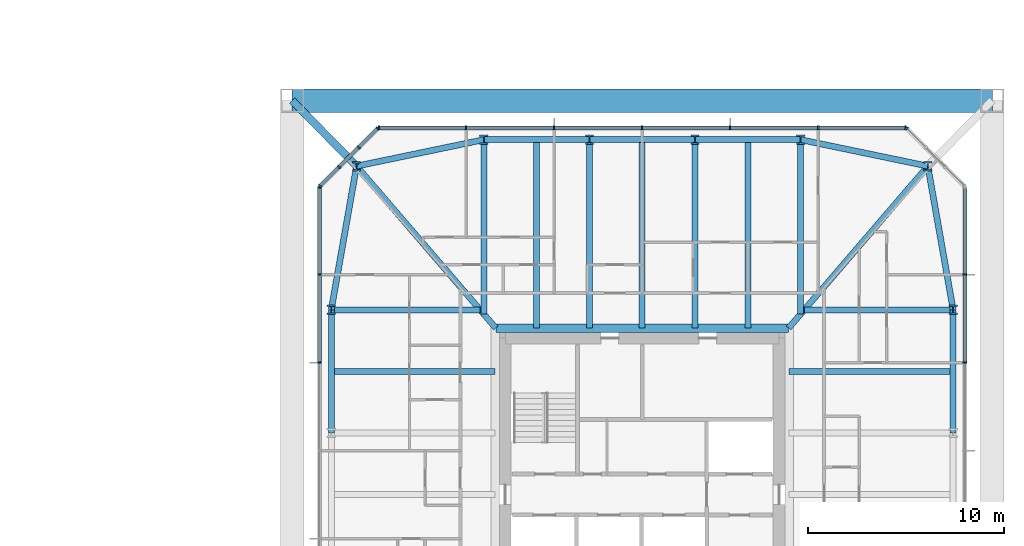
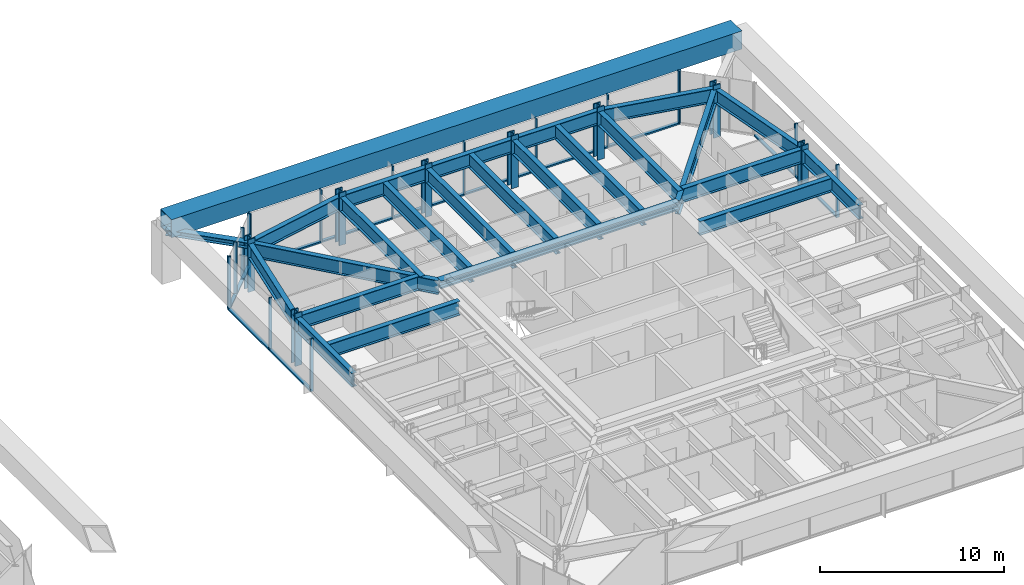
# One storey, part 16 of 32: 40 members, 23 beams, 5 elements without a shape of their own.
"""IFC4 building model written with IfcOpenShell, lengths in metres."""

from ifc_helpers import new_model, si_unit, direction, frame, origin, origin_2d, place, context, subcontext, project, spatial, rectangle, hollow_rectangle, i_section, extrude, material, material_profile, profile_set, type_object, element, aggregate, save


model = new_model("IFC4")

# Units and contexts
model_context = context("Model", 3, precision=1e-05, world=origin(), true_north=direction((0.0, 1.0)))
body_context = subcontext(model_context, "Body", "Model", "MODEL_VIEW")
ifc_project = project(units=[si_unit("LENGTHUNIT", "METRE"), si_unit("AREAUNIT", "SQUARE_METRE"), si_unit("VOLUMEUNIT", "CUBIC_METRE"), si_unit("PLANEANGLEUNIT", "RADIAN"), si_unit("MASSUNIT", "GRAM", prefix="KILO")], contexts=[model_context])

# Site, building, storey
site_placement = place(None, origin())
site = spatial("IfcSite", under=ifc_project, at=site_placement, CompositionType="ELEMENT")
building_placement = place(site_placement, origin())
building = spatial("IfcBuilding", under=site, at=building_placement, Name="Iwan Alto Co-Living Towers", CompositionType="ELEMENT")
storey_placement = place(building_placement, frame((0.0, 0.0, 71.0)))
storey = spatial("IfcBuildingStorey", under=building, at=storey_placement, Name="L19", CompositionType="ELEMENT", Elevation=71.0)

# Curtain wall, members
ifc_material_1 = material(Name="Bronze aluminium unitised frame", Category="aluminium")
curtain_wall_type_1 = type_object("IfcCurtainWallType", Name="CURTAIN WALL CW-C", PredefinedType="NOTDEFINED", material=ifc_material_1)
curtain_wall_1_placement = place(storey_placement, origin())
curtain_wall_1 = element("IfcCurtainWall", 1, at=curtain_wall_1_placement, inside=storey, type_object=curtain_wall_type_1, Name="T2 curtain wall E L19", PredefinedType="NOTDEFINED")
ifc_material_2 = material(Name="Aluminium 6063-T6 bronze anodised", Category="aluminium")
ifc_material_profile_1 = material_profile(ifc_material_2, rectangle(XDim=0.199951171875, YDim=0.080078125, at=origin_2d()), Name="AL 80X200")
ifc_profile_set_1 = profile_set([ifc_material_profile_1], Name="Aluminium 6063-T6 bronze anodised")
member_type_1 = type_object("IfcMemberType", Name="CW-C MULLION 80X200", PredefinedType="MULLION", material=ifc_profile_set_1)
member_1_placement = place(storey_placement, frame((79.5, 6.75, 0.0), z_axis=(0.0, 0.0, 1.0), x_axis=(-1.0, 0.0, 0.0)))
member_1 = element("IfcMember", 2, at=member_1_placement, type_object=member_type_1, Name="CW-C mullion 6", PredefinedType="MULLION", context=body_context, shape_type="SweptSolid", body=[
    extrude(rectangle(XDim=0.199951171875, YDim=0.080078125, at=origin_2d()), origin(), (0.0, 0.0, 1.0), 3.5),
])
member_2_placement = place(storey_placement, frame((79.5, 11.25, 0.0), z_axis=(0.0, 0.0, 1.0), x_axis=(-1.0, 0.0, 0.0)))
member_2 = element("IfcMember", 3, at=member_2_placement, type_object=member_type_1, Name="CW-C mullion 7", PredefinedType="MULLION", context=body_context, shape_type="SweptSolid", body=[
    extrude(rectangle(XDim=0.199951171875, YDim=0.080078125, at=origin_2d()), origin(), (0.0, 0.0, 1.0), 3.5),
])

curtain_wall_2_placement = place(storey_placement, origin())
curtain_wall_2 = element("IfcCurtainWall", 4, at=curtain_wall_2_placement, inside=storey, type_object=curtain_wall_type_1, Name="T2 curtain wall N L19", PredefinedType="NOTDEFINED")
member_3_placement = place(storey_placement, frame((76.4599609375, 18.75, 0.0), z_axis=(0.0, 0.0, 1.0), x_axis=(0.0, -1.0, 0.0)))
member_3 = element("IfcMember", 5, at=member_3_placement, type_object=member_type_1, Name="CW-C mullion 1", PredefinedType="MULLION", context=body_context, shape_type="SweptSolid", body=[
    extrude(rectangle(XDim=0.199951171875, YDim=0.080078125, at=origin_2d()), origin(), (0.0, 0.0, 1.0), 3.5),
])
member_4_placement = place(storey_placement, frame((72.0, 18.75, 0.0), z_axis=(0.0, 0.0, 1.0), x_axis=(0.0, -1.0, 0.0)))
member_4 = element("IfcMember", 6, at=member_4_placement, type_object=member_type_1, Name="CW-C mullion 2", PredefinedType="MULLION", context=body_context, shape_type="SweptSolid", body=[
    extrude(rectangle(XDim=0.199951171875, YDim=0.080078125, at=origin_2d()), origin(), (0.0, 0.0, 1.0), 3.5),
])
member_5_placement = place(storey_placement, frame((67.5, 18.75, 0.0), z_axis=(0.0, 0.0, 1.0), x_axis=(0.0, -1.0, 0.0)))
member_5 = element("IfcMember", 7, at=member_5_placement, type_object=member_type_1, Name="CW-C mullion 3", PredefinedType="MULLION", context=body_context, shape_type="SweptSolid", body=[
    extrude(rectangle(XDim=0.199951171875, YDim=0.080078125, at=origin_2d()), origin(), (0.0, 0.0, 1.0), 3.5),
])
member_6_placement = place(storey_placement, frame((63.0, 18.75, 0.0), z_axis=(0.0, 0.0, 1.0), x_axis=(0.0, -1.0, 0.0)))
member_6 = element("IfcMember", 8, at=member_6_placement, type_object=member_type_1, Name="CW-C mullion 4", PredefinedType="MULLION", context=body_context, shape_type="SweptSolid", body=[
    extrude(rectangle(XDim=0.199951171875, YDim=0.080078125, at=origin_2d()), origin(), (0.0, 0.0, 1.0), 3.5),
])
member_7_placement = place(storey_placement, frame((58.5, 18.75, 0.0), z_axis=(0.0, 0.0, 1.0), x_axis=(0.0, -1.0, 0.0)))
member_7 = element("IfcMember", 9, at=member_7_placement, type_object=member_type_1, Name="CW-C mullion 5", PredefinedType="MULLION", context=body_context, shape_type="SweptSolid", body=[
    extrude(rectangle(XDim=0.199951171875, YDim=0.080078125, at=origin_2d()), origin(), (0.0, 0.0, 1.0), 3.5),
])
member_8_placement = place(storey_placement, frame((54.0, 18.75, 0.0), z_axis=(0.0, 0.0, 1.0), x_axis=(0.0, -1.0, 0.0)))
member_8 = element("IfcMember", 10, at=member_8_placement, type_object=member_type_1, Name="CW-C mullion 6", PredefinedType="MULLION", context=body_context, shape_type="SweptSolid", body=[
    extrude(rectangle(XDim=0.199951171875, YDim=0.080078125, at=origin_2d()), origin(), (0.0, 0.0, 1.0), 3.5),
])
member_9_placement = place(storey_placement, frame((49.5400390625, 18.75, 0.0), z_axis=(0.0, 0.0, 1.0), x_axis=(0.0, -1.0, 0.0)))
member_9 = element("IfcMember", 11, at=member_9_placement, type_object=member_type_1, Name="CW-C mullion 7", PredefinedType="MULLION", context=body_context, shape_type="SweptSolid", body=[
    extrude(rectangle(XDim=0.199951171875, YDim=0.080078125, at=origin_2d()), origin(), (0.0, 0.0, 1.0), 3.5),
])

curtain_wall_3_placement = place(storey_placement, origin())
curtain_wall_3 = element("IfcCurtainWall", 12, at=curtain_wall_3_placement, inside=storey, type_object=curtain_wall_type_1, Name="T2 curtain wall W L19", PredefinedType="NOTDEFINED")
member_10_placement = place(storey_placement, frame((46.5, 15.7099609375, 0.0), z_axis=(0.0, 0.0, 1.0), x_axis=(1.0, 0.0, 0.0)))
member_10 = element("IfcMember", 13, at=member_10_placement, type_object=member_type_1, Name="CW-C mullion 1", PredefinedType="MULLION", context=body_context, shape_type="SweptSolid", body=[
    extrude(rectangle(XDim=0.199951171875, YDim=0.080078125, at=origin_2d()), origin(), (0.0, 0.0, 1.0), 3.5),
])
member_11_placement = place(storey_placement, frame((46.5, 11.25, 0.0), z_axis=(0.0, 0.0, 1.0), x_axis=(1.0, 0.0, 0.0)))
member_11 = element("IfcMember", 14, at=member_11_placement, type_object=member_type_1, Name="CW-C mullion 2", PredefinedType="MULLION", context=body_context, shape_type="SweptSolid", body=[
    extrude(rectangle(XDim=0.199951171875, YDim=0.080078125, at=origin_2d()), origin(), (0.0, 0.0, 1.0), 3.5),
])
member_12_placement = place(storey_placement, frame((46.5, 6.75, 0.0), z_axis=(0.0, 0.0, 1.0), x_axis=(1.0, 0.0, 0.0)))
member_12 = element("IfcMember", 15, at=member_12_placement, type_object=member_type_1, Name="CW-C mullion 3", PredefinedType="MULLION", context=body_context, shape_type="SweptSolid", body=[
    extrude(rectangle(XDim=0.199951171875, YDim=0.080078125, at=origin_2d()), origin(), (0.0, 0.0, 1.0), 3.5),
])

# Member
ifc_material_3 = material(Name="Aluminium 6063-T6 bronze anodised", Category="aluminium")
ifc_material_profile_2 = material_profile(ifc_material_3, rectangle(XDim=0.199951171875, YDim=0.10009765625, at=origin_2d()), Name="AL 200X100")
ifc_profile_set_2 = profile_set([ifc_material_profile_2], Name="Aluminium 6063-T6 bronze anodised")
member_type_2 = type_object("IfcMemberType", Name="CW-C TRANSOM 200X100", PredefinedType="USERDEFINED", material=ifc_profile_set_2)
member_13_placement = place(storey_placement, frame((79.5, 6.7900390625, 0.050048828125), z_axis=(0.0, 1.0, 0.0), x_axis=(-1.0, 0.0, 0.0)))
member_13 = element("IfcMember", 16, at=member_13_placement, type_object=member_type_2, Name="CW-C transom 6.1", ObjectType="TRANSOM", PredefinedType="USERDEFINED", context=body_context, shape_type="SweptSolid", body=[
    extrude(rectangle(XDim=0.199951171875, YDim=0.10009765625, at=origin_2d()), origin(), (0.0, 0.0, 1.0), 4.419921875),
])

member_14_placement = place(storey_placement, frame((79.5, 11.2900390625, 0.050048828125), z_axis=(0.0, 1.0, 0.0), x_axis=(-1.0, 0.0, 0.0)))
member_14 = element("IfcMember", 17, at=member_14_placement, type_object=member_type_2, Name="CW-C transom 7.1", ObjectType="TRANSOM", PredefinedType="USERDEFINED", context=body_context, shape_type="SweptSolid", body=[
    extrude(rectangle(XDim=0.199951171875, YDim=0.10009765625, at=origin_2d()), origin(), (0.0, 0.0, 1.0), 4.3798828125),
])

aggregate(curtain_wall_1, [member_1, member_2, member_13, member_14])

member_15_placement = place(storey_placement, frame((76.419921875, 18.75, 0.050048828125), z_axis=(-1.0, 0.0, 0.0), x_axis=(0.0, -1.0, 0.0)))
member_15 = element("IfcMember", 18, at=member_15_placement, type_object=member_type_2, Name="CW-C transom 1.1", ObjectType="TRANSOM", PredefinedType="USERDEFINED", context=body_context, shape_type="SweptSolid", body=[
    extrude(rectangle(XDim=0.199951171875, YDim=0.10009765625, at=origin_2d()), origin(), (0.0, 0.0, 1.0), 4.3798828125),
])

member_16_placement = place(storey_placement, frame((71.9599609375, 18.75, 0.050048828125), z_axis=(-1.0, 0.0, 0.0), x_axis=(0.0, -1.0, 0.0)))
member_16 = element("IfcMember", 19, at=member_16_placement, type_object=member_type_2, Name="CW-C transom 2.1", ObjectType="TRANSOM", PredefinedType="USERDEFINED", context=body_context, shape_type="SweptSolid", body=[
    extrude(rectangle(XDim=0.199951171875, YDim=0.10009765625, at=origin_2d()), origin(), (0.0, 0.0, 1.0), 4.419921875),
])

member_17_placement = place(storey_placement, frame((67.4599609375, 18.75, 0.050048828125), z_axis=(-1.0, 0.0, 0.0), x_axis=(0.0, -1.0, 0.0)))
member_17 = element("IfcMember", 20, at=member_17_placement, type_object=member_type_2, Name="CW-C transom 3.1", ObjectType="TRANSOM", PredefinedType="USERDEFINED", context=body_context, shape_type="SweptSolid", body=[
    extrude(rectangle(XDim=0.199951171875, YDim=0.10009765625, at=origin_2d()), origin(), (0.0, 0.0, 1.0), 4.419921875),
])

member_18_placement = place(storey_placement, frame((62.9599609375, 18.75, 0.050048828125), z_axis=(-1.0, 0.0, 0.0), x_axis=(0.0, -1.0, 0.0)))
member_18 = element("IfcMember", 21, at=member_18_placement, type_object=member_type_2, Name="CW-C transom 4.1", ObjectType="TRANSOM", PredefinedType="USERDEFINED", context=body_context, shape_type="SweptSolid", body=[
    extrude(rectangle(XDim=0.199951171875, YDim=0.10009765625, at=origin_2d()), origin(), (0.0, 0.0, 1.0), 4.419921875),
])

member_19_placement = place(storey_placement, frame((58.4599609375, 18.75, 0.050048828125), z_axis=(-1.0, 0.0, 0.0), x_axis=(0.0, -1.0, 0.0)))
member_19 = element("IfcMember", 22, at=member_19_placement, type_object=member_type_2, Name="CW-C transom 5.1", ObjectType="TRANSOM", PredefinedType="USERDEFINED", context=body_context, shape_type="SweptSolid", body=[
    extrude(rectangle(XDim=0.199951171875, YDim=0.10009765625, at=origin_2d()), origin(), (0.0, 0.0, 1.0), 4.419921875),
])

member_20_placement = place(storey_placement, frame((53.9599609375, 18.75, 0.050048828125), z_axis=(-1.0, 0.0, 0.0), x_axis=(0.0, -1.0, 0.0)))
member_20 = element("IfcMember", 23, at=member_20_placement, type_object=member_type_2, Name="CW-C transom 6.1", ObjectType="TRANSOM", PredefinedType="USERDEFINED", context=body_context, shape_type="SweptSolid", body=[
    extrude(rectangle(XDim=0.199951171875, YDim=0.10009765625, at=origin_2d()), origin(), (0.0, 0.0, 1.0), 4.3798828125),
])

aggregate(curtain_wall_2, [member_3, member_4, member_5, member_6, member_7, member_8, member_9, member_15, member_16, member_17, member_18, member_19, member_20])

member_21_placement = place(storey_placement, frame((46.5, 15.669921875, 0.050048828125), z_axis=(0.0, -1.0, 0.0), x_axis=(1.0, 0.0, 0.0)))
member_21 = element("IfcMember", 24, at=member_21_placement, type_object=member_type_2, Name="CW-C transom 1.1", ObjectType="TRANSOM", PredefinedType="USERDEFINED", context=body_context, shape_type="SweptSolid", body=[
    extrude(rectangle(XDim=0.199951171875, YDim=0.10009765625, at=origin_2d()), origin(), (0.0, 0.0, 1.0), 4.3798828125),
])

member_22_placement = place(storey_placement, frame((46.5, 11.2099609375, 0.050048828125), z_axis=(0.0, -1.0, 0.0), x_axis=(1.0, 0.0, 0.0)))
member_22 = element("IfcMember", 25, at=member_22_placement, type_object=member_type_2, Name="CW-C transom 2.1", ObjectType="TRANSOM", PredefinedType="USERDEFINED", context=body_context, shape_type="SweptSolid", body=[
    extrude(rectangle(XDim=0.199951171875, YDim=0.10009765625, at=origin_2d()), origin(), (0.0, 0.0, 1.0), 4.419921875),
])

aggregate(curtain_wall_3, [member_10, member_11, member_12, member_21, member_22])

# Curtain wall, member
ifc_material_4 = material(Name="Bronze aluminium unitised frame", Category="aluminium")
curtain_wall_type_2 = type_object("IfcCurtainWallType", Name="CURTAIN WALL CW-D", PredefinedType="NOTDEFINED", material=ifc_material_4)
curtain_wall_4_placement = place(storey_placement, origin())
curtain_wall_4 = element("IfcCurtainWall", 26, at=curtain_wall_4_placement, inside=storey, type_object=curtain_wall_type_2, Name="T2 chamfer curtain wall NE L19", PredefinedType="NOTDEFINED")
ifc_material_5 = material(Name="Aluminium 6063-T6 bronze anodised", Category="aluminium")
ifc_material_profile_3 = material_profile(ifc_material_5, rectangle(XDim=0.199951171875, YDim=0.080078125, at=origin_2d()), Name="AL 80X200")
ifc_profile_set_3 = profile_set([ifc_material_profile_3], Name="Aluminium 6063-T6 bronze anodised")
member_type_3 = type_object("IfcMemberType", Name="CW-D MULLION 80X200", PredefinedType="MULLION", material=ifc_profile_set_3)
member_23_placement = place(storey_placement, frame((76.5283203125, 18.7216796875, 0.0), z_axis=(0.0, 0.0, 1.0), x_axis=(-0.707106781187, -0.707106781187, 0.0)))
member_23 = element("IfcMember", 27, at=member_23_placement, type_object=member_type_3, Name="CW-D mullion 4", PredefinedType="MULLION", context=body_context, shape_type="SweptSolid", body=[
    extrude(rectangle(XDim=0.199951171875, YDim=0.080078125, at=origin_2d()), origin(), (0.0, 0.0, 1.0), 3.5),
])
aggregate(curtain_wall_4, [member_23])

# Curtain wall, members
curtain_wall_5_placement = place(storey_placement, origin())
curtain_wall_5 = element("IfcCurtainWall", 28, at=curtain_wall_5_placement, inside=storey, type_object=curtain_wall_type_2, Name="T2 chamfer curtain wall NW L19", PredefinedType="NOTDEFINED")
member_24_placement = place(storey_placement, frame((49.4716796875, 18.7216796875, 0.0), z_axis=(0.0, 0.0, 1.0), x_axis=(0.707106781187, -0.707106781187, 0.0)))
member_24 = element("IfcMember", 29, at=member_24_placement, type_object=member_type_3, Name="CW-D mullion 1", PredefinedType="MULLION", context=body_context, shape_type="SweptSolid", body=[
    extrude(rectangle(XDim=0.199951171875, YDim=0.080078125, at=origin_2d()), origin(), (0.0, 0.0, 1.0), 3.5),
])
member_25_placement = place(storey_placement, frame((48.5, 17.75, 0.0), z_axis=(0.0, 0.0, 1.0), x_axis=(0.707106781187, -0.707106781187, 0.0)))
member_25 = element("IfcMember", 30, at=member_25_placement, type_object=member_type_3, Name="CW-D mullion 2", PredefinedType="MULLION", context=body_context, shape_type="SweptSolid", body=[
    extrude(rectangle(XDim=0.199951171875, YDim=0.080078125, at=origin_2d()), origin(), (0.0, 0.0, 1.0), 3.5),
])
member_26_placement = place(storey_placement, frame((47.5, 16.75, 0.0), z_axis=(0.0, 0.0, 1.0), x_axis=(0.707106781187, -0.707106781187, 0.0)))
member_26 = element("IfcMember", 31, at=member_26_placement, type_object=member_type_3, Name="CW-D mullion 3", PredefinedType="MULLION", context=body_context, shape_type="SweptSolid", body=[
    extrude(rectangle(XDim=0.199951171875, YDim=0.080078125, at=origin_2d()), origin(), (0.0, 0.0, 1.0), 3.5),
])
member_27_placement = place(storey_placement, frame((46.5283203125, 15.7783203125, 0.0), z_axis=(0.0, 0.0, 1.0), x_axis=(0.707106781187, -0.707106781187, 0.0)))
member_27 = element("IfcMember", 32, at=member_27_placement, type_object=member_type_3, Name="CW-D mullion 4", PredefinedType="MULLION", context=body_context, shape_type="SweptSolid", body=[
    extrude(rectangle(XDim=0.199951171875, YDim=0.080078125, at=origin_2d()), origin(), (0.0, 0.0, 1.0), 3.5),
])
ifc_material_6 = material(Name="Aluminium 6063-T6 bronze anodised", Category="aluminium")
ifc_material_profile_4 = material_profile(ifc_material_6, rectangle(XDim=0.199951171875, YDim=0.10009765625, at=origin_2d()), Name="AL 200X100")
ifc_profile_set_4 = profile_set([ifc_material_profile_4], Name="Aluminium 6063-T6 bronze anodised")
member_type_4 = type_object("IfcMemberType", Name="CW-D TRANSOM 200X100", PredefinedType="USERDEFINED", material=ifc_profile_set_4)
member_28_placement = place(storey_placement, frame((49.443359375, 18.693359375, 0.050048828125), z_axis=(-0.707106781187, -0.707106781187, 0.0), x_axis=(0.707106781187, -0.707106781187, 0.0)))
member_28 = element("IfcMember", 33, at=member_28_placement, type_object=member_type_4, Name="CW-D transom 1.1", ObjectType="TRANSOM", PredefinedType="USERDEFINED", context=body_context, shape_type="SweptSolid", body=[
    extrude(rectangle(XDim=0.199951171875, YDim=0.10009765625, at=origin_2d()), origin(), (0.0, 0.0, 1.0), 1.2939453125),
])
member_29_placement = place(storey_placement, frame((48.4716796875, 17.7216796875, 0.050048828125), z_axis=(-0.707106781187, -0.707106781187, 0.0), x_axis=(0.707106781187, -0.707106781187, 0.0)))
member_29 = element("IfcMember", 34, at=member_29_placement, type_object=member_type_4, Name="CW-D transom 2.1", ObjectType="TRANSOM", PredefinedType="USERDEFINED", context=body_context, shape_type="SweptSolid", body=[
    extrude(rectangle(XDim=0.199951171875, YDim=0.10009765625, at=origin_2d()), origin(), (0.0, 0.0, 1.0), 1.334228515625),
])
member_30_placement = place(storey_placement, frame((47.4716796875, 16.7216796875, 0.050048828125), z_axis=(-0.707106781187, -0.707106781187, 0.0), x_axis=(0.707106781187, -0.707106781187, 0.0)))
member_30 = element("IfcMember", 35, at=member_30_placement, type_object=member_type_4, Name="CW-D transom 3.1", ObjectType="TRANSOM", PredefinedType="USERDEFINED", context=body_context, shape_type="SweptSolid", body=[
    extrude(rectangle(XDim=0.199951171875, YDim=0.10009765625, at=origin_2d()), origin(), (0.0, 0.0, 1.0), 1.2939453125),
])
aggregate(curtain_wall_5, [member_24, member_25, member_26, member_27, member_28, member_29, member_30])

# Beams
ifc_material_7 = material(Name="Steel ASTM A992 Gr 50", Category="steel")
ifc_material_profile_5 = material_profile(ifc_material_7, i_section(OverallWidth=0.436767578125, OverallDepth=0.51318359375, WebThickness=0.060546875, FlangeThickness=0.096923828125, at=origin_2d()), Name="W14X550")
ifc_profile_set_5 = profile_set([ifc_material_profile_5], Name="Steel ASTM A992 Gr 50")
beam_type_1 = type_object("IfcBeamType", Name="T2 CORE LEDGER BEAM W14X550", PredefinedType="BEAM", material=ifc_profile_set_5)
beam_1_placement = place(storey_placement, frame((70.48779296875, 8.5185546875, 2.943359375), z_axis=(-1.0, 0.0, 0.0), x_axis=(0.0, -1.0, 0.0)))
element("IfcBeam", 36, at=beam_1_placement, inside=storey, type_object=beam_type_1, Name="T2 core ledger beam N L20", PredefinedType="BEAM", context=body_context, shape_type="SweptSolid", body=[
    extrude(i_section(OverallWidth=0.436767578125, OverallDepth=0.51318359375, WebThickness=0.060546875, FlangeThickness=0.096923828125, at=origin_2d()), origin(), (0.0, 0.0, 1.0), 14.9755859375),
])
ifc_material_8 = material(Name="Steel ASTM A992 Gr 50", Category="steel")
ifc_material_profile_6 = material_profile(ifc_material_8, i_section(OverallWidth=0.307373046875, OverallDepth=0.927001953125, WebThickness=0.01953125, FlangeThickness=0.031982421875, at=origin_2d()), Name="W36X194")
ifc_profile_set_6 = profile_set([ifc_material_profile_6], Name="Steel ASTM A992 Gr 50")
beam_type_2 = type_object("IfcBeamType", Name="T2 CORNER GIRDER W36X194", PredefinedType="BEAM", material=ifc_profile_set_6)
for number, where, z_axis, x_axis, name in (
    (37, (77.606201171875, 16.797119140625, 2.736328125), (-0.651978338393, -0.758237592227, 0.0), (0.758237592227, -0.651978338393, 0.0), "T2 corner girder CNE L20"),
    (38, (48.393798828125, 16.797119140625, 2.736328125), (0.651978338393, -0.758237592227, 0.0), (0.758237592227, 0.651978338393, 0.0), "T2 corner girder CNW L20"),
):
    element("IfcBeam", number, at=place(storey_placement, frame(where, z_axis=z_axis, x_axis=x_axis)), inside=storey, type_object=beam_type_2, Name=name, PredefinedType="BEAM", context=body_context, shape_type="SweptSolid", body=[
        extrude(i_section(OverallWidth=0.307373046875, OverallDepth=0.927001953125, WebThickness=0.01953125, FlangeThickness=0.031982421875, at=origin_2d()), origin(), (0.0, 0.0, 1.0), 10.918212890625),
    ])
ifc_material_9 = material(Name="Steel ASTM A992 Gr 50", Category="steel")
ifc_material_profile_7 = material_profile(ifc_material_9, i_section(OverallWidth=0.307373046875, OverallDepth=0.927001953125, WebThickness=0.01953125, FlangeThickness=0.031982421875, at=origin_2d()), Name="W36X194")
ifc_profile_set_7 = profile_set([ifc_material_profile_7], Name="Steel ASTM A992 Gr 50")
beam_type_3 = type_object("IfcBeamType", Name="T2 EDGE BEAM W36X194", PredefinedType="BEAM", material=ifc_profile_set_7)
beam_2_placement = place(storey_placement, frame((78.89990234375, 3.14990234375, 2.736328125), z_axis=(0.0, 1.0, 0.0), x_axis=(-1.0, 0.0, 0.0)))
element("IfcBeam", 39, at=beam_2_placement, inside=storey, type_object=beam_type_3, Name="T2 edge beam E3 L20", PredefinedType="BEAM", context=body_context, shape_type="SweptSolid", body=[
    extrude(i_section(OverallWidth=0.307373046875, OverallDepth=0.927001953125, WebThickness=0.01953125, FlangeThickness=0.031982421875, at=origin_2d()), origin(), (0.0, 0.0, 1.0), 6.300048828125),
])
beam_3_placement = place(storey_placement, frame((78.89990234375, 9.449951171875, 2.736328125), z_axis=(-0.173413807283, 0.98484905008, 0.0), x_axis=(-0.98484905008, -0.173413807283, 0.0)))
element("IfcBeam", 40, at=beam_3_placement, inside=storey, type_object=beam_type_3, Name="T2 edge beam E4 L20", PredefinedType="BEAM", context=body_context, shape_type="SweptSolid", body=[
    extrude(i_section(OverallWidth=0.307373046875, OverallDepth=0.927001953125, WebThickness=0.01953125, FlangeThickness=0.031982421875, at=origin_2d()), origin(), (0.0, 0.0, 1.0), 7.460205078125),
])
beam_4_placement = place(storey_placement, frame((77.606201171875, 16.797119140625, 2.736328125), z_axis=(-0.979060119423, 0.203571320564, 0.0), x_axis=(-0.203571320564, -0.979060119423, 0.0)))
element("IfcBeam", 41, at=beam_4_placement, inside=storey, type_object=beam_type_3, Name="T2 edge beam CNE L20", PredefinedType="BEAM", context=body_context, shape_type="SweptSolid", body=[
    extrude(i_section(OverallWidth=0.307373046875, OverallDepth=0.927001953125, WebThickness=0.01953125, FlangeThickness=0.031982421875, at=origin_2d()), origin(), (0.0, 0.0, 1.0), 6.645263671875),
])
beam_5_placement = place(storey_placement, frame((71.10009765625, 18.14990234375, 2.736328125), z_axis=(-1.0, 0.0, 0.0), x_axis=(0.0, -1.0, 0.0)))
element("IfcBeam", 42, at=beam_5_placement, inside=storey, type_object=beam_type_3, Name="T2 edge beam N1 L20", PredefinedType="BEAM", context=body_context, shape_type="SweptSolid", body=[
    extrude(i_section(OverallWidth=0.307373046875, OverallDepth=0.927001953125, WebThickness=0.01953125, FlangeThickness=0.031982421875, at=origin_2d()), origin(), (0.0, 0.0, 1.0), 5.400146484375),
])
beam_6_placement = place(storey_placement, frame((65.699951171875, 18.14990234375, 2.736328125), z_axis=(-1.0, 0.0, 0.0), x_axis=(0.0, -1.0, 0.0)))
element("IfcBeam", 43, at=beam_6_placement, inside=storey, type_object=beam_type_3, Name="T2 edge beam N2 L20", PredefinedType="BEAM", context=body_context, shape_type="SweptSolid", body=[
    extrude(i_section(OverallWidth=0.307373046875, OverallDepth=0.927001953125, WebThickness=0.01953125, FlangeThickness=0.031982421875, at=origin_2d()), origin(), (0.0, 0.0, 1.0), 5.39990234375),
])
beam_7_placement = place(storey_placement, frame((60.300048828125, 18.14990234375, 2.736328125), z_axis=(-1.0, 0.0, 0.0), x_axis=(0.0, -1.0, 0.0)))
element("IfcBeam", 44, at=beam_7_placement, inside=storey, type_object=beam_type_3, Name="T2 edge beam N3 L20", PredefinedType="BEAM", context=body_context, shape_type="SweptSolid", body=[
    extrude(i_section(OverallWidth=0.307373046875, OverallDepth=0.927001953125, WebThickness=0.01953125, FlangeThickness=0.031982421875, at=origin_2d()), origin(), (0.0, 0.0, 1.0), 5.400146484375),
])
beam_8_placement = place(storey_placement, frame((54.89990234375, 18.14990234375, 2.736328125), z_axis=(-0.979060119423, -0.203571320564, 0.0), x_axis=(0.203571320564, -0.979060119423, 0.0)))
element("IfcBeam", 45, at=beam_8_placement, inside=storey, type_object=beam_type_3, Name="T2 edge beam N4 L20", PredefinedType="BEAM", context=body_context, shape_type="SweptSolid", body=[
    extrude(i_section(OverallWidth=0.307373046875, OverallDepth=0.927001953125, WebThickness=0.01953125, FlangeThickness=0.031982421875, at=origin_2d()), origin(), (0.0, 0.0, 1.0), 6.645263671875),
])
beam_9_placement = place(storey_placement, frame((48.393798828125, 16.797119140625, 2.736328125), z_axis=(-0.173413807283, -0.98484905008, 0.0), x_axis=(0.98484905008, -0.173413807283, 0.0)))
element("IfcBeam", 46, at=beam_9_placement, inside=storey, type_object=beam_type_3, Name="T2 edge beam CNW L20", PredefinedType="BEAM", context=body_context, shape_type="SweptSolid", body=[
    extrude(i_section(OverallWidth=0.307373046875, OverallDepth=0.927001953125, WebThickness=0.01953125, FlangeThickness=0.031982421875, at=origin_2d()), origin(), (0.0, 0.0, 1.0), 7.460205078125),
])
beam_10_placement = place(storey_placement, frame((47.10009765625, 9.449951171875, 2.736328125), z_axis=(0.0, -1.0, 0.0), x_axis=(1.0, 0.0, 0.0)))
element("IfcBeam", 47, at=beam_10_placement, inside=storey, type_object=beam_type_3, Name="T2 edge beam W1 L20", PredefinedType="BEAM", context=body_context, shape_type="SweptSolid", body=[
    extrude(i_section(OverallWidth=0.307373046875, OverallDepth=0.927001953125, WebThickness=0.01953125, FlangeThickness=0.031982421875, at=origin_2d()), origin(), (0.0, 0.0, 1.0), 6.300048828125),
])

# Members
ifc_material_10 = material(Name="Steel ASTM A572 Gr 50", Category="steel")
ifc_material_profile_8 = material_profile(ifc_material_10, hollow_rectangle(XDim=1.199951171875, YDim=1.199951171875, WallThickness=0.070068359375, at=origin_2d()), Name="BOX 1200X1200X70")
ifc_profile_set_8 = profile_set([ifc_material_profile_8], Name="Steel ASTM A572 Gr 50")
member_type_5 = type_object("IfcMemberType", Name="T2 MEGA BELT TIE BOX 1200X1200X70", PredefinedType="STRUT", material=ifc_profile_set_8)
member_31_placement = place(storey_placement, frame((80.89990234375, 20.14990234375, 3.5), z_axis=(-1.0, 0.0, 0.0), x_axis=(0.0, -1.0, 0.0)))
element("IfcMember", 48, at=member_31_placement, inside=storey, type_object=member_type_5, Name="T2 mega belt tie N L20", PredefinedType="STRUT", context=body_context, shape_type="SweptSolid", body=[
    extrude(hollow_rectangle(XDim=1.199951171875, YDim=1.199951171875, WallThickness=0.070068359375, at=origin_2d()), origin(), (0.0, 0.0, 1.0), 35.7998046875),
])
ifc_material_11 = material(Name="Steel ASTM A992 Gr 50", Category="steel")
ifc_material_profile_9 = material_profile(ifc_material_11, i_section(OverallWidth=0.393798828125, OverallDepth=0.3759765625, WebThickness=0.017333984375, FlangeThickness=0.027587890625, at=origin_2d()), Name="W14X145")
ifc_profile_set_9 = profile_set([ifc_material_profile_9], Name="Steel ASTM A992 Gr 50")
member_type_6 = type_object("IfcMemberType", Name="T2 MEGA COLUMN FLOOR TIE W14X145", PredefinedType="STRUT", material=ifc_profile_set_9)
member_32_placement = place(storey_placement, frame((45.10009765625, 20.14990234375, 3.011962890625), z_axis=(0.700793469544, -0.71336422187, 0.0), x_axis=(0.71336422187, 0.700793469544, 0.0)))
element("IfcMember", 49, at=member_32_placement, inside=storey, type_object=member_type_6, Name="T2 mega column floor tie NW L20", PredefinedType="STRUT", context=body_context, shape_type="SweptSolid", body=[
    extrude(i_section(OverallWidth=0.393798828125, OverallDepth=0.3759765625, WebThickness=0.017333984375, FlangeThickness=0.027587890625, at=origin_2d()), origin(), (0.0, 0.0, 1.0), 4.699951171875),
])

# Beams
ifc_material_12 = material(Name="Steel ASTM A992 Gr 50", Category="steel")
ifc_material_profile_10 = material_profile(ifc_material_12, i_section(OverallWidth=0.307373046875, OverallDepth=0.927001953125, WebThickness=0.01953125, FlangeThickness=0.031982421875, at=origin_2d()), Name="W36X194")
ifc_profile_set_10 = profile_set([ifc_material_profile_10], Name="Steel ASTM A992 Gr 50")
beam_type_4 = type_object("IfcBeamType", Name="T2 RADIAL BEAM W36X194", PredefinedType="BEAM", material=ifc_profile_set_10)
beam_11_placement = place(storey_placement, frame((78.89990234375, 9.449951171875, 2.736328125), z_axis=(-1.0, 0.0, 0.0), x_axis=(0.0, -1.0, 0.0)))
element("IfcBeam", 50, at=beam_11_placement, inside=storey, type_object=beam_type_4, Name="T2 radial beam E4 L20", PredefinedType="BEAM", context=body_context, shape_type="SweptSolid", body=[
    extrude(i_section(OverallWidth=0.307373046875, OverallDepth=0.927001953125, WebThickness=0.01953125, FlangeThickness=0.031982421875, at=origin_2d()), origin(), (0.0, 0.0, 1.0), 7.611083984375),
])
beam_12_placement = place(storey_placement, frame((71.10009765625, 18.14990234375, 2.736328125), z_axis=(0.0, -1.0, 0.0), x_axis=(1.0, 0.0, 0.0)))
element("IfcBeam", 51, at=beam_12_placement, inside=storey, type_object=beam_type_4, Name="T2 radial beam N1 L20", PredefinedType="BEAM", context=body_context, shape_type="SweptSolid", body=[
    extrude(i_section(OverallWidth=0.307373046875, OverallDepth=0.927001953125, WebThickness=0.01953125, FlangeThickness=0.031982421875, at=origin_2d()), origin(), (0.0, 0.0, 1.0), 8.91943359375),
])
for number, where, z_axis, x_axis, name in (
    (52, (65.699951171875, 18.14990234375, 2.736328125), (0.0, -1.0, 0.0), (1.0, 0.0, 0.0), "T2 radial beam N2 L20"),
    (53, (60.300048828125, 18.14990234375, 2.736328125), (0.0, -1.0, 0.0), (1.0, 0.0, 0.0), "T2 radial beam N3 L20"),
):
    element("IfcBeam", number, at=place(storey_placement, frame(where, z_axis=z_axis, x_axis=x_axis)), inside=storey, type_object=beam_type_4, Name=name, PredefinedType="BEAM", context=body_context, shape_type="SweptSolid", body=[
        extrude(i_section(OverallWidth=0.307373046875, OverallDepth=0.927001953125, WebThickness=0.01953125, FlangeThickness=0.031982421875, at=origin_2d()), origin(), (0.0, 0.0, 1.0), 9.63134765625),
    ])
beam_13_placement = place(storey_placement, frame((54.89990234375, 18.14990234375, 2.736328125), z_axis=(0.0, -1.0, 0.0), x_axis=(1.0, 0.0, 0.0)))
element("IfcBeam", 54, at=beam_13_placement, inside=storey, type_object=beam_type_4, Name="T2 radial beam N4 L20", PredefinedType="BEAM", context=body_context, shape_type="SweptSolid", body=[
    extrude(i_section(OverallWidth=0.307373046875, OverallDepth=0.927001953125, WebThickness=0.01953125, FlangeThickness=0.031982421875, at=origin_2d()), origin(), (0.0, 0.0, 1.0), 8.91943359375),
])
beam_14_placement = place(storey_placement, frame((47.10009765625, 9.449951171875, 2.736328125), z_axis=(1.0, 0.0, 0.0), x_axis=(0.0, 1.0, 0.0)))
element("IfcBeam", 55, at=beam_14_placement, inside=storey, type_object=beam_type_4, Name="T2 radial beam W1 L20", PredefinedType="BEAM", context=body_context, shape_type="SweptSolid", body=[
    extrude(i_section(OverallWidth=0.307373046875, OverallDepth=0.927001953125, WebThickness=0.01953125, FlangeThickness=0.031982421875, at=origin_2d()), origin(), (0.0, 0.0, 1.0), 7.611083984375),
])

# Members
ifc_material_13 = material(Name="Steel ASTM A992 Gr 50", Category="steel")
ifc_material_profile_11 = material_profile(ifc_material_13, i_section(OverallWidth=0.424072265625, OverallDepth=0.47509765625, WebThickness=0.0478515625, FlangeThickness=0.0771484375, at=origin_2d()), Name="W14X426")
ifc_profile_set_11 = profile_set([ifc_material_profile_11], Name="Steel ASTM A992 Gr 50")
member_type_7 = type_object("IfcMemberType", Name="T2 RING POST AT STEP W14X426", PredefinedType="MEMBER", material=ifc_profile_set_11)
for number, where, z_axis, x_axis, name in (
    (56, (78.89990234375, 9.449951171875, 0.0), (0.0, 0.0, 1.0), (1.0, 0.0, 0.0), "T2 ring post at step E4 L19"),
    (57, (77.606201171875, 16.797119140625, 0.0), (0.0, 0.0, 1.0), (1.0, 0.0, 0.0), "T2 ring post at step CNE L19"),
    (58, (71.10009765625, 18.14990234375, 0.0), (0.0, 0.0, 1.0), (1.0, 0.0, 0.0), "T2 ring post at step N1 L19"),
    (59, (65.699951171875, 18.14990234375, 0.0), (0.0, 0.0, 1.0), (1.0, 0.0, 0.0), "T2 ring post at step N2 L19"),
    (60, (60.300048828125, 18.14990234375, 0.0), (0.0, 0.0, 1.0), (1.0, 0.0, 0.0), "T2 ring post at step N3 L19"),
    (61, (54.89990234375, 18.14990234375, 0.0), (0.0, 0.0, 1.0), (1.0, 0.0, 0.0), "T2 ring post at step N4 L19"),
    (62, (48.393798828125, 16.797119140625, 0.0), (0.0, 0.0, 1.0), (1.0, 0.0, 0.0), "T2 ring post at step CNW L19"),
    (63, (47.10009765625, 9.449951171875, 0.0), (0.0, 0.0, 1.0), (1.0, 0.0, 0.0), "T2 ring post at step W1 L19"),
):
    element("IfcMember", number, at=place(storey_placement, frame(where, z_axis=z_axis, x_axis=x_axis)), inside=storey, type_object=member_type_7, Name=name, PredefinedType="MEMBER", context=body_context, shape_type="SweptSolid", body=[
        extrude(i_section(OverallWidth=0.424072265625, OverallDepth=0.47509765625, WebThickness=0.0478515625, FlangeThickness=0.0771484375, at=origin_2d()), origin(), (0.0, 0.0, 1.0), 3.5),
    ])

# Beams
ifc_material_14 = material(Name="Steel ASTM A992 Gr 50", Category="steel")
ifc_material_profile_12 = material_profile(ifc_material_14, i_section(OverallWidth=0.307373046875, OverallDepth=0.927001953125, WebThickness=0.01953125, FlangeThickness=0.031982421875, at=origin_2d()), Name="W36X194")
ifc_profile_set_12 = profile_set([ifc_material_profile_12], Name="Steel ASTM A992 Gr 50")
beam_type_5 = type_object("IfcBeamType", Name="T2 SECONDARY BEAM W36X194", PredefinedType="JOIST", material=ifc_profile_set_12)
beam_15_placement = place(storey_placement, frame((78.89990234375, 6.300048828125, 2.736328125), z_axis=(-1.0, 0.0, 0.0), x_axis=(0.0, -1.0, 0.0)))
element("IfcBeam", 64, at=beam_15_placement, inside=storey, type_object=beam_type_5, Name="T2 secondary beam E3 L20", PredefinedType="JOIST", context=body_context, shape_type="SweptSolid", body=[
    extrude(i_section(OverallWidth=0.307373046875, OverallDepth=0.927001953125, WebThickness=0.01953125, FlangeThickness=0.031982421875, at=origin_2d()), origin(), (0.0, 0.0, 1.0), 8.38134765625),
])
for number, where, z_axis, x_axis, name in (
    (65, (68.39990234375, 18.14990234375, 2.736328125), (0.0, -1.0, 0.0), (1.0, 0.0, 0.0), "T2 secondary beam N1 L20"),
    (66, (63.0, 18.14990234375, 2.736328125), (0.0, -1.0, 0.0), (1.0, 0.0, 0.0), "T2 secondary beam N2 L20"),
    (67, (57.60009765625, 18.14990234375, 2.736328125), (0.0, -1.0, 0.0), (1.0, 0.0, 0.0), "T2 secondary beam N3 L20"),
):
    element("IfcBeam", number, at=place(storey_placement, frame(where, z_axis=z_axis, x_axis=x_axis)), inside=storey, type_object=beam_type_5, Name=name, PredefinedType="JOIST", context=body_context, shape_type="SweptSolid", body=[
        extrude(i_section(OverallWidth=0.307373046875, OverallDepth=0.927001953125, WebThickness=0.01953125, FlangeThickness=0.031982421875, at=origin_2d()), origin(), (0.0, 0.0, 1.0), 9.63134765625),
    ])
beam_16_placement = place(storey_placement, frame((47.10009765625, 6.300048828125, 2.736328125), z_axis=(1.0, 0.0, 0.0), x_axis=(0.0, 1.0, 0.0)))
element("IfcBeam", 68, at=beam_16_placement, inside=storey, type_object=beam_type_5, Name="T2 secondary beam W1 L20", PredefinedType="JOIST", context=body_context, shape_type="SweptSolid", body=[
    extrude(i_section(OverallWidth=0.307373046875, OverallDepth=0.927001953125, WebThickness=0.01953125, FlangeThickness=0.031982421875, at=origin_2d()), origin(), (0.0, 0.0, 1.0), 8.38134765625),
])

save(model, "model.ifc")
